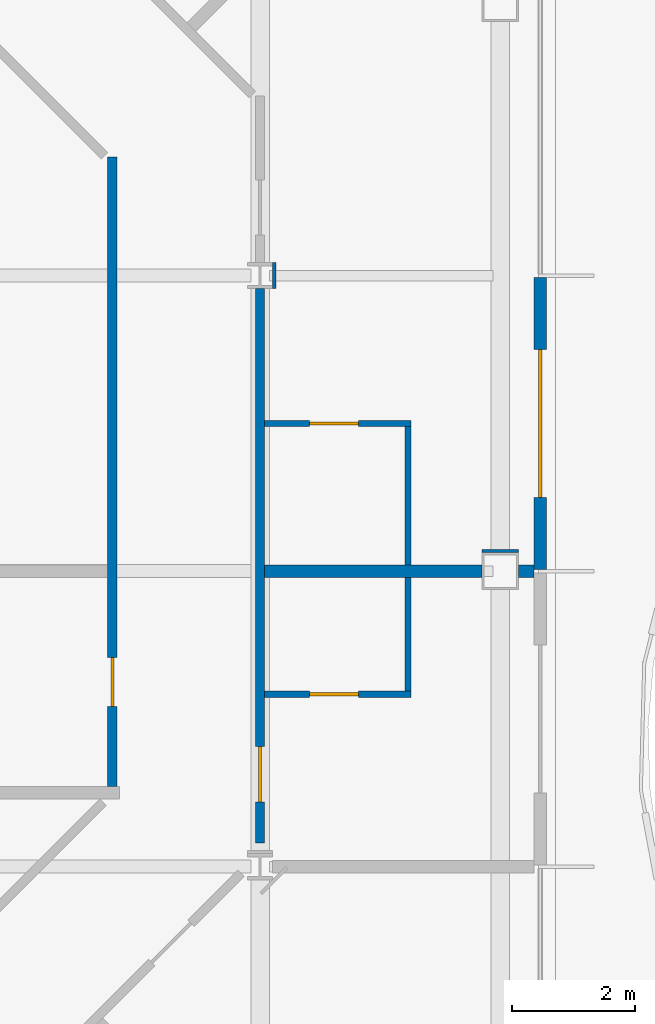
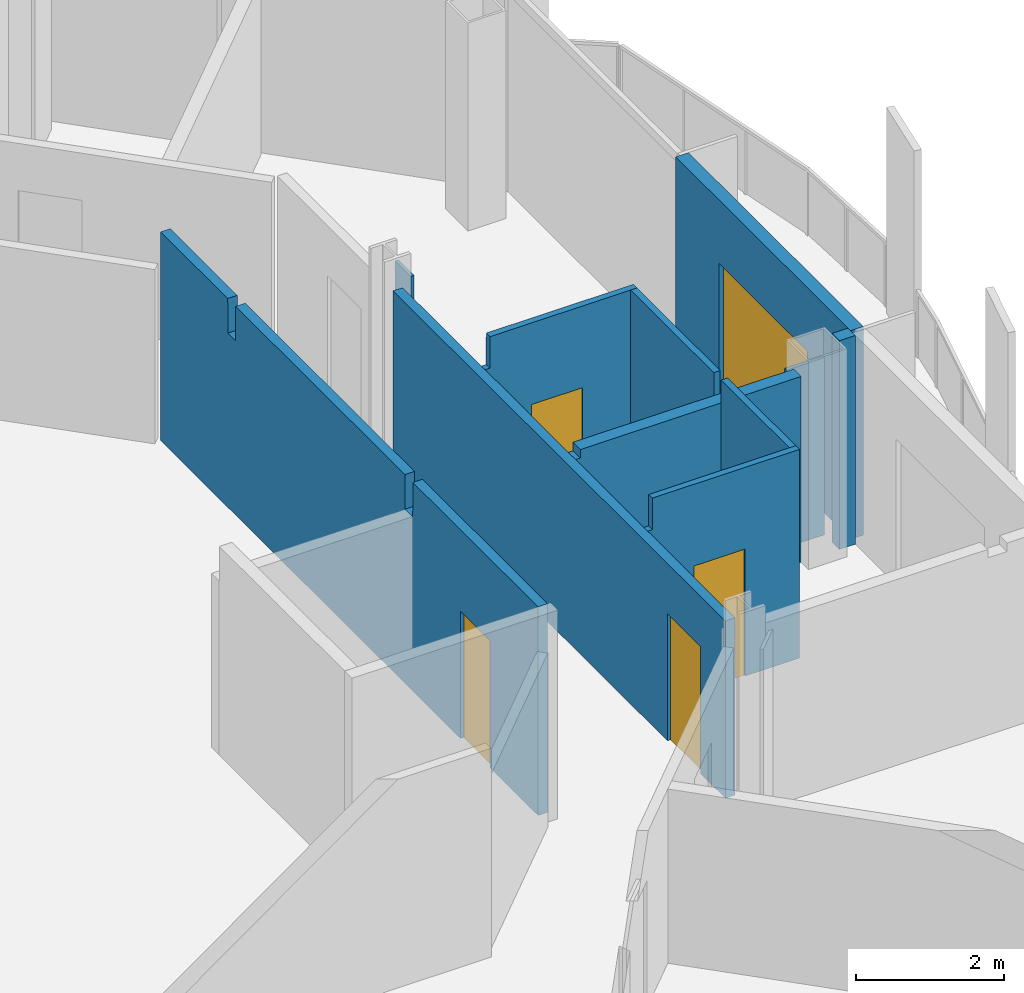
# One storey, part 11 of 21: 11 walls, 5 doors, 5 openings.
"""IFC4 building model written with IfcOpenShell, lengths in metres."""

from ifc_helpers import new_model, si_unit, direction, frame, frame_2d, origin, place, context, subcontext, project, spatial, polyline, rectangle, outline, extrude, material, layer, layer_set, type_object, element, fill, save


model = new_model("IFC4")

# Units and contexts
model_context = context("Model", 3, precision=1e-05, world=origin(), true_north=direction((0.0, 1.0)))
body_context = subcontext(model_context, "Body", "Model", "MODEL_VIEW")
ifc_project = project(units=[si_unit("LENGTHUNIT", "METRE"), si_unit("AREAUNIT", "SQUARE_METRE"), si_unit("VOLUMEUNIT", "CUBIC_METRE"), si_unit("PLANEANGLEUNIT", "RADIAN"), si_unit("MASSUNIT", "GRAM", prefix="KILO")], contexts=[model_context])

# Site, building, storey
site_placement = place(None, origin())
site = spatial("IfcSite", under=ifc_project, at=site_placement, CompositionType="ELEMENT")
building_placement = place(site_placement, origin())
building = spatial("IfcBuilding", under=site, at=building_placement, Name="Cairn Pilgrim Tower", CompositionType="ELEMENT")
storey_placement = place(building_placement, frame((0.0, 0.0, 168.60009765625)))
storey = spatial("IfcBuildingStorey", under=building, at=storey_placement, Name="L42", CompositionType="ELEMENT", Elevation=168.60009765625)

# Wall, opening, door
ifc_material_1 = material(Name="Bronze anodised aluminium insulated sandwich panel with mineral wool fill", Category="aluminium")
ifc_layer_1 = layer(ifc_material_1, 0.199951171875)
ifc_layer_set_1 = layer_set([ifc_layer_1], Name="BRONZE INFILL FRAME WALL 200")
wall_type_1 = type_object("IfcWallType", Name="BRONZE INFILL FRAME WALL 200", PredefinedType="NOTDEFINED", material=ifc_layer_set_1)
wall_1_placement = place(storey_placement, frame((35.75, 4.830078125, 0.0), z_axis=(0.0, 0.0, 1.0), x_axis=(0.0, 1.0, 0.0)))
wall_1 = element("IfcWall", 1, at=wall_1_placement, inside=storey, type_object=wall_type_1, Name="Bronze infill frame wall IW-E3", PredefinedType="NOTDEFINED", context=body_context, shape_type="SweptSolid", body=[
    extrude(rectangle(XDim=4.739990234375, YDim=0.199951171875, at=frame_2d((2.3701171875, 0.0))), origin(), (0.0, 0.0, 1.0), 3.449951171875),
])
opening_1_placement = place(wall_1_placement, frame((1.169921875, 0.0, 0.0)))
opening_1 = element("IfcOpeningElement", 2, at=opening_1_placement, cuts=wall_1, Name="Opening 4208B", PredefinedType="OPENING", context=body_context, shape_type="SweptSolid", body=[
    extrude(rectangle(XDim=2.39990234375, YDim=2.39990234375, at=frame_2d((1.199951171875, 1.199951171875))), frame((0.0, 0.10986328125, 0.0), z_axis=(0.0, -1.0, 0.0), x_axis=(1.0, 0.0, 0.0)), (0.0, 0.0, 1.0), 0.219970703125),
])
ifc_material_2 = material(Name="Bronze anodised aluminium frame with tinted low-E glass", Category="aluminium")
door_type_1 = type_object("IfcDoorType", Name="BALCONY SLIDING DOOR 2400x2400", OperationType="DOUBLE_DOOR_SLIDING", PredefinedType="DOOR", material=ifc_material_2)
door_1_placement = place(opening_1_placement, origin())
door_1 = element("IfcDoor", 3, at=door_1_placement, inside=storey, type_object=door_type_1, Name="Balcony sliding door 4208B", OperationType="SINGLE_SWING_LEFT", OverallHeight=2.39990234375, OverallWidth=2.39990234375, PredefinedType="DOOR", context=body_context, shape_type="SweptSolid", body=[
    extrude(rectangle(XDim=2.39990234375, YDim=2.39990234375, at=frame_2d((1.199951171875, 1.199951171875))), frame((0.0, 0.02490234375, 0.0), z_axis=(0.0, -1.0, 0.0), x_axis=(1.0, 0.0, 0.0)), (0.0, 0.0, 1.0), 0.050048828125),
])
fill(opening_1, door_1)

ifc_material_3 = material(Name="Gypsum partition")
ifc_layer_2 = layer(ifc_material_3, 0.10009765625)
ifc_layer_set_2 = layer_set([ifc_layer_2], Name="PARTITION 100 DRYWALL")
wall_type_2 = type_object("IfcWallType", Name="PARTITION 100 DRYWALL", PredefinedType="PARTITIONING", material=ifc_layer_set_2)
wall_2_placement = place(storey_placement, frame((31.27490234375, 2.800048828125, 0.0), z_axis=(0.0, 0.0, 1.0), x_axis=(1.0, 0.0, 0.0)))
wall_2 = element("IfcWall", 4, at=wall_2_placement, inside=storey, type_object=wall_type_2, Name="PARTITION W056", PredefinedType="PARTITIONING", context=body_context, shape_type="SweptSolid", body=[
    extrude(outline(polyline([(0.0, 0.0), (2.375, 0.0), (2.375, 3.449951171875), (0.074951171875, 3.449951171875), (0.072998046875, 2.929931640625), (0.0, 2.929931640625), (0.0, 0.0)])), frame((0.0, 0.050048828125, 0.0), z_axis=(0.0, -1.0, 0.0), x_axis=(1.0, 0.0, 0.0)), (0.0, 0.0, 1.0), 0.10009765625),
])
opening_2_placement = place(wall_2_placement, frame((0.72509765625, 0.0, 0.0)))
opening_2 = element("IfcOpeningElement", 5, at=opening_2_placement, cuts=wall_2, Name="Opening 4207A", PredefinedType="OPENING", context=body_context, shape_type="SweptSolid", body=[
    extrude(rectangle(XDim=0.800048828125, YDim=2.10009765625, at=frame_2d((0.39990234375, 1.050048828125))), frame((0.0, 0.06005859375, 0.0), z_axis=(0.0, -1.0, 0.0), x_axis=(1.0, 0.0, 0.0)), (0.0, 0.0, 1.0), 0.1201171875),
])
ifc_material_4 = material(Name="Timber door leaf", Category="wood")
door_type_2 = type_object("IfcDoorType", Name="WC DOOR 800x2100", OperationType="NOTDEFINED", PredefinedType="DOOR", material=ifc_material_4)
door_2_placement = place(opening_2_placement, frame((0.800048828125, 0.0, 0.0), z_axis=(0.0, 0.0, 1.0), x_axis=(-1.0, 0.0, 0.0)))
door_2 = element("IfcDoor", 6, at=door_2_placement, inside=storey, type_object=door_type_2, Name="DOOR 4207A", OperationType="SINGLE_SWING_RIGHT", OverallHeight=2.10009765625, OverallWidth=0.800048828125, PredefinedType="DOOR", context=body_context, shape_type="SweptSolid", body=[
    extrude(rectangle(XDim=0.800048828125, YDim=2.10009765625, at=frame_2d((0.39990234375, 1.050048828125))), frame((0.0, 0.02490234375, 0.0), z_axis=(0.0, -1.0, 0.0), x_axis=(1.0, 0.0, 0.0)), (0.0, 0.0, 1.0), 0.050048828125),
])
fill(opening_2, door_2)

# Walls
wall_3_placement = place(storey_placement, frame((33.60009765625, 2.85009765625, 0.0), z_axis=(0.0, 0.0, 1.0), x_axis=(0.0, 1.0, 0.0)))
element("IfcWall", 7, at=wall_3_placement, inside=storey, type_object=wall_type_2, Name="PARTITION W057", PredefinedType="PARTITIONING", context=body_context, shape_type="SweptSolid", body=[
    extrude(rectangle(XDim=1.849853515625, YDim=0.10009765625, at=frame_2d((0.9248046875, 0.0))), origin(), (0.0, 0.0, 1.0), 3.449951171875),
])
wall_4_placement = place(storey_placement, frame((33.60009765625, 4.89990234375, 0.0), z_axis=(0.0, 0.0, 1.0), x_axis=(0.0, 1.0, 0.0)))
element("IfcWall", 8, at=wall_4_placement, inside=storey, type_object=wall_type_2, Name="PARTITION W064", PredefinedType="PARTITIONING", context=body_context, shape_type="SweptSolid", body=[
    extrude(rectangle(XDim=2.25, YDim=0.10009765625, at=frame_2d((1.125, 0.0))), origin(), (0.0, 0.0, 1.0), 3.449951171875),
])

# Wall, opening, door
wall_5_placement = place(storey_placement, frame((31.27490234375, 7.199951171875, 0.0), z_axis=(0.0, 0.0, 1.0), x_axis=(1.0, 0.0, 0.0)))
wall_5 = element("IfcWall", 9, at=wall_5_placement, inside=storey, type_object=wall_type_2, Name="PARTITION W066", PredefinedType="PARTITIONING", context=body_context, shape_type="SweptSolid", body=[
    extrude(outline(polyline([(0.0, 0.0), (2.375, 0.0), (2.375, 3.449951171875), (0.074951171875, 3.449951171875), (0.072998046875, 2.929931640625), (0.0, 2.929931640625), (0.0, 0.0)])), frame((0.0, 0.050048828125, 0.0), z_axis=(0.0, -1.0, 0.0), x_axis=(1.0, 0.0, 0.0)), (0.0, 0.0, 1.0), 0.10009765625),
])
opening_3_placement = place(wall_5_placement, frame((0.72509765625, 0.0, 0.0)))
opening_3 = element("IfcOpeningElement", 10, at=opening_3_placement, cuts=wall_5, Name="Opening 4208A", PredefinedType="OPENING", context=body_context, shape_type="SweptSolid", body=[
    extrude(rectangle(XDim=0.800048828125, YDim=2.10009765625, at=frame_2d((0.39990234375, 1.050048828125))), frame((0.0, 0.06005859375, 0.0), z_axis=(0.0, -1.0, 0.0), x_axis=(1.0, 0.0, 0.0)), (0.0, 0.0, 1.0), 0.1201171875),
])
door_3_placement = place(opening_3_placement, origin())
door_3 = element("IfcDoor", 11, at=door_3_placement, inside=storey, type_object=door_type_2, Name="DOOR 4208A", OperationType="SINGLE_SWING_RIGHT", OverallHeight=2.10009765625, OverallWidth=0.800048828125, PredefinedType="DOOR", context=body_context, shape_type="SweptSolid", body=[
    extrude(rectangle(XDim=0.800048828125, YDim=2.10009765625, at=frame_2d((0.39990234375, 1.050048828125))), frame((0.0, 0.02490234375, 0.0), z_axis=(0.0, -1.0, 0.0), x_axis=(1.0, 0.0, 0.0)), (0.0, 0.0, 1.0), 0.050048828125),
])
fill(opening_3, door_3)

ifc_layer_3 = layer(ifc_material_3, 0.14990234375)
ifc_layer_set_3 = layer_set([ifc_layer_3], Name="PARTITION 150 DRYWALL EI 60")
wall_type_3 = type_object("IfcWallType", Name="PARTITION 150 DRYWALL EI 60", PredefinedType="PARTITIONING", material=ifc_layer_set_3)
wall_6_placement = place(storey_placement, frame((31.199951171875, 0.38720703125, 0.0), z_axis=(0.0, 0.0, 1.0), x_axis=(0.0, 1.0, 0.0)))
wall_6 = element("IfcWall", 12, at=wall_6_placement, inside=storey, type_object=wall_type_3, Name="PARTITION W047", PredefinedType="PARTITIONING", context=body_context, shape_type="SweptSolid", body=[
    extrude(rectangle(XDim=9.000244140625, YDim=0.14990234375, at=frame_2d((4.5, 0.0))), origin(), (0.0, 0.0, 1.0), 2.929931640625),
])
opening_4_placement = place(wall_6_placement, frame((0.666015625, 0.0, 0.0)))
opening_4 = element("IfcOpeningElement", 13, at=opening_4_placement, cuts=wall_6, Name="Opening 4207", PredefinedType="OPENING", context=body_context, shape_type="SweptSolid", body=[
    extrude(rectangle(XDim=0.89990234375, YDim=2.10009765625, at=frame_2d((0.449951171875, 1.050048828125))), frame((0.0, 0.0849609375, 0.0), z_axis=(0.0, -1.0, 0.0), x_axis=(1.0, 0.0, 0.0)), (0.0, 0.0, 1.0), 0.169921875),
])
door_type_3 = type_object("IfcDoorType", Name="ROOM DOOR 900x2100 FD30S", OperationType="NOTDEFINED", PredefinedType="DOOR", material=ifc_material_4)
door_4_placement = place(opening_4_placement, frame((0.89990234375, 0.0, 0.0), z_axis=(0.0, 0.0, 1.0), x_axis=(-1.0, 0.0, 0.0)))
door_4 = element("IfcDoor", 14, at=door_4_placement, inside=storey, type_object=door_type_3, Name="DOOR 4207", OperationType="SINGLE_SWING_RIGHT", OverallHeight=2.10009765625, OverallWidth=0.89990234375, PredefinedType="DOOR", context=body_context, shape_type="SweptSolid", body=[
    extrude(rectangle(XDim=0.89990234375, YDim=2.10009765625, at=frame_2d((0.449951171875, 1.050048828125))), frame((0.0, 0.02490234375, 0.0), z_axis=(0.0, -1.0, 0.0), x_axis=(1.0, 0.0, 0.0)), (0.0, 0.0, 1.0), 0.050048828125),
])
fill(opening_4, door_4)

wall_7_placement = place(storey_placement, frame((28.800048828125, 1.300048828125, 0.0), z_axis=(0.0, 0.0, 1.0), x_axis=(0.0, 1.0, 0.0)))
wall_7 = element("IfcWall", 15, at=wall_7_placement, inside=storey, type_object=wall_type_3, Name="PARTITION W051", PredefinedType="PARTITIONING", context=body_context, shape_type="SweptSolid", body=[
    extrude(outline(polyline([(0.0, 0.0), (10.22412109375, 0.0), (10.22412109375, 3.449951171875), (8.405029296875, 3.449951171875), (8.403076171875, 2.8798828125), (8.195068359375, 2.8798828125), (8.193115234375, 3.449951171875), (3.60498046875, 3.449951171875), (3.60302734375, 2.8798828125), (3.39501953125, 2.8798828125), (3.39306640625, 3.449951171875), (0.0, 3.449951171875), (0.0, 0.0)])), frame((0.0, 0.074951171875, 0.0), z_axis=(0.0, -1.0, 0.0), x_axis=(1.0, 0.0, 0.0)), (0.0, 0.0, 1.0), 0.14990234375),
])
opening_5_placement = place(wall_7_placement, frame((1.300048828125, 0.0, 0.0)))
opening_5 = element("IfcOpeningElement", 16, at=opening_5_placement, cuts=wall_7, Name="Opening 4225", PredefinedType="OPENING", context=body_context, shape_type="SweptSolid", body=[
    extrude(rectangle(XDim=0.800048828125, YDim=2.10009765625, at=frame_2d((0.39990234375, 1.050048828125))), frame((0.0, 0.0849609375, 0.0), z_axis=(0.0, -1.0, 0.0), x_axis=(1.0, 0.0, 0.0)), (0.0, 0.0, 1.0), 0.169921875),
])
door_type_4 = type_object("IfcDoorType", Name="WC DOOR 800x2100 FD30S", OperationType="NOTDEFINED", PredefinedType="DOOR", material=ifc_material_4)
door_5_placement = place(opening_5_placement, origin())
door_5 = element("IfcDoor", 17, at=door_5_placement, inside=storey, type_object=door_type_4, Name="DOOR 4225", OperationType="SINGLE_SWING_RIGHT", OverallHeight=2.10009765625, OverallWidth=0.800048828125, PredefinedType="DOOR", context=body_context, shape_type="SweptSolid", body=[
    extrude(rectangle(XDim=0.800048828125, YDim=2.10009765625, at=frame_2d((0.39990234375, 1.050048828125))), frame((0.0, 0.02490234375, 0.0), z_axis=(0.0, -1.0, 0.0), x_axis=(1.0, 0.0, 0.0)), (0.0, 0.0, 1.0), 0.050048828125),
])
fill(opening_5, door_5)

# Walls
ifc_layer_4 = layer(ifc_material_3, 0.050048828125)
ifc_layer_set_4 = layer_set([ifc_layer_4], Name="PARTITION 50 DRYWALL EI 60")
wall_type_4 = type_object("IfcWallType", Name="PARTITION 50 DRYWALL EI 60", PredefinedType="PARTITIONING", material=ifc_layer_set_4)
wall_8_placement = place(storey_placement, frame((31.429443359375, 9.387451171875, 0.0), z_axis=(0.0, 0.0, 1.0), x_axis=(0.0, 1.0, 0.0)))
element("IfcWall", 18, at=wall_8_placement, inside=storey, type_object=wall_type_4, Name="COLUMN CASING WC23", PredefinedType="PARTITIONING", context=body_context, shape_type="SweptSolid", body=[
    extrude(rectangle(XDim=0.425048828125, YDim=0.050048828125, at=frame_2d((0.21240234375, 0.0))), origin(), (0.0, 0.0, 1.0), 3.06982421875),
])
wall_9_placement = place(storey_placement, frame((34.800048828125, 5.125, 0.0), z_axis=(0.0, 0.0, 1.0), x_axis=(1.0, 0.0, 0.0)))
element("IfcWall", 19, at=wall_9_placement, inside=storey, type_object=wall_type_4, Name="COLUMN CASING WC26", PredefinedType="PARTITIONING", context=body_context, shape_type="SweptSolid", body=[
    extrude(rectangle(XDim=0.599853515625, YDim=0.050048828125, at=frame_2d((0.2998046875, 0.0))), origin(), (0.0, 0.0, 1.0), 2.929931640625),
])
ifc_layer_5 = layer(ifc_material_3, 0.199951171875)
ifc_layer_set_5 = layer_set([ifc_layer_5], Name="SHAFT WALL 200 GYPSUM EI 60")
wall_type_5 = type_object("IfcWallType", Name="SHAFT WALL 200 GYPSUM EI 60", PredefinedType="PARTITIONING", material=ifc_layer_set_5)
wall_10_placement = place(storey_placement, frame((31.27490234375, 4.800048828125, 0.0), z_axis=(0.0, 0.0, 1.0), x_axis=(1.0, 0.0, 0.0)))
element("IfcWall", 20, at=wall_10_placement, inside=storey, type_object=wall_type_5, Name="PARTITION W061", PredefinedType="PARTITIONING", context=body_context, shape_type="SweptSolid", body=[
    extrude(outline(polyline([(0.0, 0.0), (3.525146484375, 0.0), (3.52490234375, 3.06982421875), (0.074951171875, 3.06982421875), (0.072998046875, 2.929931640625), (0.0, 2.929931640625), (0.0, 0.0)])), frame((0.0, 0.10009765625, 0.0), z_axis=(0.0, -1.0, 0.0), x_axis=(1.0, 0.0, 0.0)), (0.0, 0.0, 1.0), 0.199951171875),
])
wall_11_placement = place(storey_placement, frame((35.39990234375, 4.800048828125, 0.0), z_axis=(0.0, 0.0, 1.0), x_axis=(1.0, 0.0, 0.0)))
element("IfcWall", 21, at=wall_11_placement, inside=storey, type_object=wall_type_5, Name="PARTITION W062", PredefinedType="PARTITIONING", context=body_context, shape_type="SweptSolid", body=[
    extrude(rectangle(XDim=0.25, YDim=0.199951171875, at=frame_2d((0.125, 0.0))), origin(), (0.0, 0.0, 1.0), 3.449951171875),
])

save(model, "model.ifc")
